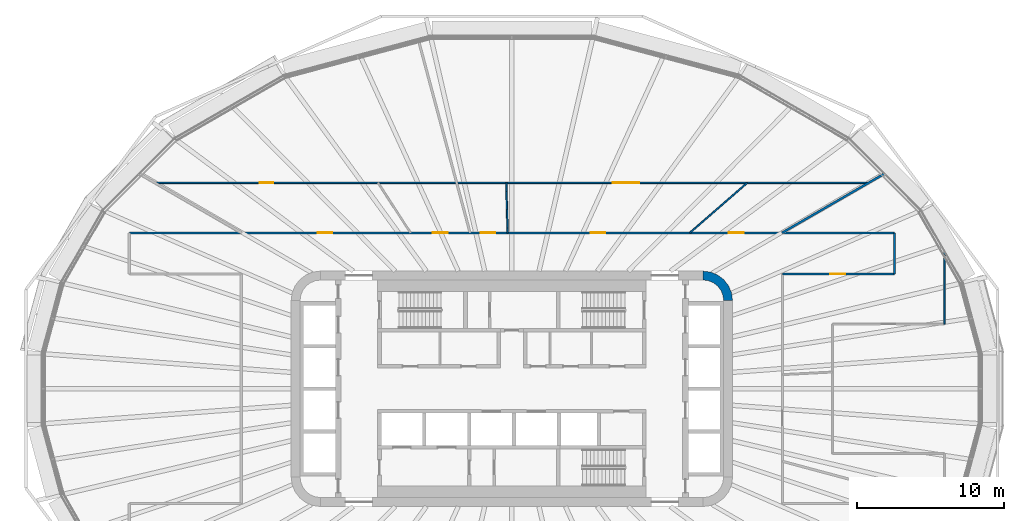
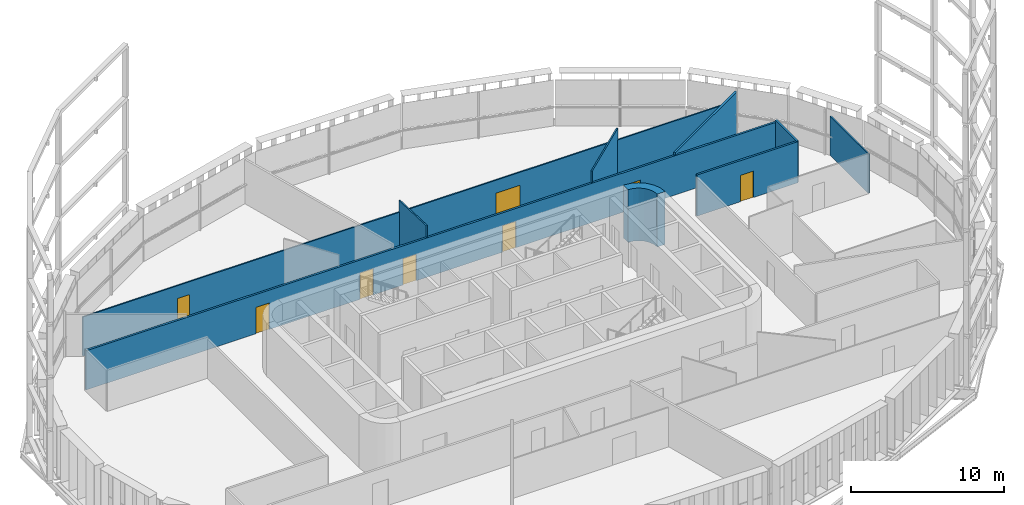
# One storey, part 17 of 26: 9 walls, 8 doors, 8 openings.
"""IFC4 building model written with IfcOpenShell, lengths in metres."""

from ifc_helpers import new_model, si_unit, direction, frame, frame_2d, origin, place, context, subcontext, project, spatial, polyline, rectangle, outline, extrude, material, layer, layer_set, type_object, element, fill, save


model = new_model("IFC4")

# Units and contexts
model_context = context("Model", 3, precision=1e-05, world=origin(), true_north=direction((0.0, 1.0)))
body_context = subcontext(model_context, "Body", "Model", "MODEL_VIEW")
ifc_project = project(units=[si_unit("LENGTHUNIT", "METRE"), si_unit("AREAUNIT", "SQUARE_METRE"), si_unit("VOLUMEUNIT", "CUBIC_METRE"), si_unit("PLANEANGLEUNIT", "RADIAN"), si_unit("MASSUNIT", "GRAM", prefix="KILO")], contexts=[model_context])

# Site, building, storey
site_placement = place(None, origin())
site = spatial("IfcSite", under=ifc_project, at=site_placement, CompositionType="ELEMENT")
building_placement = place(site_placement, origin())
building = spatial("IfcBuilding", under=site, at=building_placement, Name="Sahrelin Media Tower", CompositionType="ELEMENT")
storey_placement = place(building_placement, frame((0.0, 0.0, 102.0)))
storey = spatial("IfcBuildingStorey", under=building, at=storey_placement, Name="L19", CompositionType="ELEMENT", Elevation=102.0)

# Wall
ifc_material_1 = material(Name="Concrete C60/75", Category="concrete")
ifc_layer_1 = layer(ifc_material_1, 0.60009765625)
ifc_layer_set_1 = layer_set([ifc_layer_1], Name="Core wall 600")
wall_type_1 = type_object("IfcWallType", Name="Core wall 600", PredefinedType="SHEAR", material=ifc_layer_set_1)
wall_1_placement = place(storey_placement, origin())
element("IfcWall", 1, at=wall_1_placement, inside=storey, type_object=wall_type_1, Name="Core wall corner NE L19", PredefinedType="SHEAR", context=body_context, shape_type="SweptSolid", body=[
    extrude(outline(polyline([(13.0, 8.0), (13.0, 7.394775390625), (13.361083984375, 7.347412109375), (13.697509765625, 7.2080078125), (13.986328125, 6.986328125), (14.2080078125, 6.697509765625), (14.347412109375, 6.361083984375), (14.394775390625, 6.0), (15.0, 6.0), (14.931884765625, 6.517578125), (14.732177734375, 7.0), (14.414306640625, 7.414306640625), (14.0, 7.732177734375), (13.517578125, 7.931884765625), (13.0, 8.0)])), origin(), (0.0, 0.0, 1.0), 4.199951171875),
])

# Wall, opening, door
ifc_material_2 = material(Name="Fire-rated gypsum board partition")
ifc_layer_2 = layer(ifc_material_2, 0.14990234375)
ifc_layer_set_2 = layer_set([ifc_layer_2], Name="Fire-rated partition 150")
wall_type_2 = type_object("IfcWallType", Name="Fire-rated partition 150", PredefinedType="PARTITIONING", material=ifc_layer_set_2)
wall_2_placement = place(storey_placement, frame((18.39990234375, 7.800048828125, 0.0), z_axis=(0.0, 0.0, 1.0), x_axis=(1.0, 0.0, 0.0)))
wall_2 = element("IfcWall", 2, at=wall_2_placement, inside=storey, type_object=wall_type_2, Name="Wall", PredefinedType="PARTITIONING", context=body_context, shape_type="SweptSolid", body=[
    extrude(rectangle(XDim=7.60009765625, YDim=0.14990234375, at=frame_2d((3.800048828125, 0.0))), origin(), (0.0, 0.0, 1.0), 3.27587890625),
])
opening_1_placement = place(wall_2_placement, frame((3.2490234375, 0.0, 0.0)))
opening_1 = element("IfcOpeningElement", 3, at=opening_1_placement, cuts=wall_2, Name="Opening L19-D39", PredefinedType="OPENING", context=body_context, shape_type="SweptSolid", body=[
    extrude(rectangle(XDim=1.0, YDim=2.10009765625, at=frame_2d((0.5, 1.050048828125))), frame((0.0, 0.074951171875, 0.0), z_axis=(0.0, -1.0, 0.0), x_axis=(1.0, 0.0, 0.0)), (0.0, 0.0, 1.0), 0.14990234375),
])
ifc_material_3 = material(Name="Steel fire door leaf", Category="steel")
door_type_1 = type_object("IfcDoorType", Name="Fire door 1000 x 2100 EI 60", OperationType="NOTDEFINED", PredefinedType="DOOR", material=ifc_material_3)
door_1_placement = place(opening_1_placement, origin())
door_1 = element("IfcDoor", 4, at=door_1_placement, inside=storey, type_object=door_type_1, Name="Fire door", OperationType="SINGLE_SWING_LEFT", OverallHeight=2.10009765625, OverallWidth=1.0, PredefinedType="DOOR", context=body_context, shape_type="SweptSolid", body=[
    extrude(rectangle(XDim=1.0, YDim=2.10009765625, at=frame_2d((0.5, 1.050048828125))), frame((0.0, 0.02490234375, 0.0), z_axis=(0.0, -1.0, 0.0), x_axis=(1.0, 0.0, 0.0)), (0.0, 0.0, 1.0), 0.050048828125),
])
fill(opening_1, door_1)

# Wall, openings, doors
wall_3_placement = place(storey_placement, frame((-26.0, 10.60009765625, 0.0), z_axis=(0.0, 0.0, 1.0), x_axis=(1.0, 0.0, 0.0)))
wall_3 = element("IfcWall", 5, at=wall_3_placement, inside=storey, type_object=wall_type_2, Name="Wall", PredefinedType="PARTITIONING", context=body_context, shape_type="SweptSolid", body=[
    extrude(rectangle(XDim=52.0, YDim=0.14990234375, at=frame_2d((26.0, 0.0))), origin(), (0.0, 0.0, 1.0), 3.126953125),
])
opening_2_placement = place(wall_3_placement, frame((40.75341796875, 0.0, 0.0)))
opening_2 = element("IfcOpeningElement", 6, at=opening_2_placement, cuts=wall_3, Name="Opening L19-D23", PredefinedType="OPENING", context=body_context, shape_type="SweptSolid", body=[
    extrude(rectangle(XDim=1.0, YDim=2.10009765625, at=frame_2d((0.5, 1.050048828125))), frame((0.0, 0.074951171875, 0.0), z_axis=(0.0, -1.0, 0.0), x_axis=(1.0, 0.0, 0.0)), (0.0, 0.0, 1.0), 0.14990234375),
])
opening_3_placement = place(wall_3_placement, frame((31.359619140625, 0.0, 0.0)))
opening_3 = element("IfcOpeningElement", 7, at=opening_3_placement, cuts=wall_3, Name="Opening L19-D24", PredefinedType="OPENING", context=body_context, shape_type="SweptSolid", body=[
    extrude(rectangle(XDim=1.0, YDim=2.10009765625, at=frame_2d((0.5, 1.050048828125))), frame((0.0, 0.074951171875, 0.0), z_axis=(0.0, -1.0, 0.0), x_axis=(1.0, 0.0, 0.0)), (0.0, 0.0, 1.0), 0.14990234375),
])
opening_4_placement = place(wall_3_placement, frame((23.877685546875, 0.0, 0.0)))
opening_4 = element("IfcOpeningElement", 8, at=opening_4_placement, cuts=wall_3, Name="Opening L19-D25", PredefinedType="OPENING", context=body_context, shape_type="SweptSolid", body=[
    extrude(rectangle(XDim=1.0, YDim=2.10009765625, at=frame_2d((0.5, 1.050048828125))), frame((0.0, 0.074951171875, 0.0), z_axis=(0.0, -1.0, 0.0), x_axis=(1.0, 0.0, 0.0)), (0.0, 0.0, 1.0), 0.14990234375),
])
opening_5_placement = place(wall_3_placement, frame((20.637939453125, 0.0, 0.0)))
opening_5 = element("IfcOpeningElement", 9, at=opening_5_placement, cuts=wall_3, Name="Opening L19-D27", PredefinedType="OPENING", context=body_context, shape_type="SweptSolid", body=[
    extrude(rectangle(XDim=1.0, YDim=2.10009765625, at=frame_2d((0.5, 1.050048828125))), frame((0.0, 0.074951171875, 0.0), z_axis=(0.0, -1.0, 0.0), x_axis=(1.0, 0.0, 0.0)), (0.0, 0.0, 1.0), 0.14990234375),
])
opening_6_placement = place(wall_3_placement, frame((12.807861328125, 0.0, 0.0)))
opening_6 = element("IfcOpeningElement", 10, at=opening_6_placement, cuts=wall_3, Name="Opening L19-D28", PredefinedType="OPENING", context=body_context, shape_type="SweptSolid", body=[
    extrude(rectangle(XDim=1.0, YDim=2.10009765625, at=frame_2d((0.5, 1.050048828125))), frame((0.0, 0.074951171875, 0.0), z_axis=(0.0, -1.0, 0.0), x_axis=(1.0, 0.0, 0.0)), (0.0, 0.0, 1.0), 0.14990234375),
])
door_2_placement = place(opening_2_placement, origin())
door_2 = element("IfcDoor", 11, at=door_2_placement, inside=storey, type_object=door_type_1, Name="Fire door", OperationType="SINGLE_SWING_LEFT", OverallHeight=2.10009765625, OverallWidth=1.0, PredefinedType="DOOR", context=body_context, shape_type="SweptSolid", body=[
    extrude(rectangle(XDim=1.0, YDim=2.10009765625, at=frame_2d((0.5, 1.050048828125))), frame((0.0, 0.02490234375, 0.0), z_axis=(0.0, -1.0, 0.0), x_axis=(1.0, 0.0, 0.0)), (0.0, 0.0, 1.0), 0.050048828125),
])
fill(opening_2, door_2)
door_3_placement = place(opening_3_placement, origin())
door_3 = element("IfcDoor", 12, at=door_3_placement, inside=storey, type_object=door_type_1, Name="Fire door", OperationType="SINGLE_SWING_LEFT", OverallHeight=2.10009765625, OverallWidth=1.0, PredefinedType="DOOR", context=body_context, shape_type="SweptSolid", body=[
    extrude(rectangle(XDim=1.0, YDim=2.10009765625, at=frame_2d((0.5, 1.050048828125))), frame((0.0, 0.02490234375, 0.0), z_axis=(0.0, -1.0, 0.0), x_axis=(1.0, 0.0, 0.0)), (0.0, 0.0, 1.0), 0.050048828125),
])
fill(opening_3, door_3)
door_4_placement = place(opening_4_placement, origin())
door_4 = element("IfcDoor", 13, at=door_4_placement, inside=storey, type_object=door_type_1, Name="Fire door", OperationType="SINGLE_SWING_RIGHT", OverallHeight=2.10009765625, OverallWidth=1.0, PredefinedType="DOOR", context=body_context, shape_type="SweptSolid", body=[
    extrude(rectangle(XDim=1.0, YDim=2.10009765625, at=frame_2d((0.5, 1.050048828125))), frame((0.0, 0.02490234375, 0.0), z_axis=(0.0, -1.0, 0.0), x_axis=(1.0, 0.0, 0.0)), (0.0, 0.0, 1.0), 0.050048828125),
])
fill(opening_4, door_4)
door_5_placement = place(opening_5_placement, origin())
door_5 = element("IfcDoor", 14, at=door_5_placement, inside=storey, type_object=door_type_1, Name="Fire door", OperationType="SINGLE_SWING_RIGHT", OverallHeight=2.10009765625, OverallWidth=1.0, PredefinedType="DOOR", context=body_context, shape_type="SweptSolid", body=[
    extrude(rectangle(XDim=1.0, YDim=2.10009765625, at=frame_2d((0.5, 1.050048828125))), frame((0.0, 0.02490234375, 0.0), z_axis=(0.0, -1.0, 0.0), x_axis=(1.0, 0.0, 0.0)), (0.0, 0.0, 1.0), 0.050048828125),
])
fill(opening_5, door_5)
door_6_placement = place(opening_6_placement, origin())
door_6 = element("IfcDoor", 15, at=door_6_placement, inside=storey, type_object=door_type_1, Name="Fire door", OperationType="SINGLE_SWING_LEFT", OverallHeight=2.10009765625, OverallWidth=1.0, PredefinedType="DOOR", context=body_context, shape_type="SweptSolid", body=[
    extrude(rectangle(XDim=1.0, YDim=2.10009765625, at=frame_2d((0.5, 1.050048828125))), frame((0.0, 0.02490234375, 0.0), z_axis=(0.0, -1.0, 0.0), x_axis=(1.0, 0.0, 0.0)), (0.0, 0.0, 1.0), 0.050048828125),
])
fill(opening_6, door_6)

# Walls
wall_4_placement = place(storey_placement, frame((18.361083984375, 10.60009765625, 0.0), z_axis=(0.0, 0.0, 1.0), x_axis=(0.866017655369, 0.500013420409, 0.0)))
element("IfcWall", 16, at=wall_4_placement, inside=storey, type_object=wall_type_2, Name="Wall", PredefinedType="PARTITIONING", context=body_context, shape_type="SweptSolid", body=[
    extrude(rectangle(XDim=8.037841796875, YDim=0.14990234375, at=frame_2d((4.01904296875, 0.0))), origin(), (0.0, 0.0, 1.0), 3.352294921875),
])
wall_5_placement = place(storey_placement, frame((26.0, 7.800048828125, 0.0), z_axis=(0.0, 0.0, 1.0), x_axis=(0.0, 1.0, 0.0)))
element("IfcWall", 17, at=wall_5_placement, inside=storey, type_object=wall_type_2, Name="Wall", PredefinedType="PARTITIONING", context=body_context, shape_type="SweptSolid", body=[
    extrude(rectangle(XDim=2.800048828125, YDim=0.14990234375, at=frame_2d((1.39990234375, 0.0))), origin(), (0.0, 0.0, 1.0), 3.27587890625),
])
ifc_material_4 = material(Name="Gypsum board partition")
ifc_layer_3 = layer(ifc_material_4, 0.10009765625)
ifc_layer_set_3 = layer_set([ifc_layer_3], Name="Partition 100")
wall_type_3 = type_object("IfcWallType", Name="Partition 100", PredefinedType="PARTITIONING", material=ifc_layer_set_3)
wall_6_placement = place(storey_placement, frame((-0.3798828125, 14.0, 0.0), z_axis=(0.0, 0.0, 1.0), x_axis=(0.027276935786, -0.999627915163, 0.0)))
element("IfcWall", 18, at=wall_6_placement, inside=storey, type_object=wall_type_3, Name="Wall", PredefinedType="PARTITIONING", context=body_context, shape_type="SweptSolid", body=[
    extrude(rectangle(XDim=3.401123046875, YDim=0.10009765625, at=frame_2d((1.70068359375, 0.0))), origin(), (0.0, 0.0, 1.0), 4.050048828125),
])

# Wall, openings, doors
wall_7_placement = place(storey_placement, frame((-24.25, 14.0, 0.0), z_axis=(0.0, 0.0, 1.0), x_axis=(1.0, 0.0, 0.0)))
wall_7 = element("IfcWall", 19, at=wall_7_placement, inside=storey, type_object=wall_type_3, Name="Wall", PredefinedType="PARTITIONING", context=body_context, shape_type="SweptSolid", body=[
    extrude(rectangle(XDim=48.5, YDim=0.10009765625, at=frame_2d((24.25, 0.0))), origin(), (0.0, 0.0, 1.0), 3.126953125),
])
opening_7_placement = place(wall_7_placement, frame((31.104736328125, 0.0, 0.0)))
opening_7 = element("IfcOpeningElement", 20, at=opening_7_placement, cuts=wall_7, Name="Opening L19-D26", PredefinedType="OPENING", context=body_context, shape_type="SweptSolid", body=[
    extrude(rectangle(XDim=1.800048828125, YDim=2.10009765625, at=frame_2d((0.89990234375, 1.050048828125))), frame((0.0, 0.050048828125, 0.0), z_axis=(0.0, -1.0, 0.0), x_axis=(1.0, 0.0, 0.0)), (0.0, 0.0, 1.0), 0.10009765625),
])
opening_8_placement = place(wall_7_placement, frame((7.12890625, 0.0, 0.0)))
opening_8 = element("IfcOpeningElement", 21, at=opening_8_placement, cuts=wall_7, Name="Opening L19-D29", PredefinedType="OPENING", context=body_context, shape_type="SweptSolid", body=[
    extrude(rectangle(XDim=0.89990234375, YDim=2.10009765625, at=frame_2d((0.449951171875, 1.050048828125))), frame((0.0, 0.050048828125, 0.0), z_axis=(0.0, -1.0, 0.0), x_axis=(1.0, 0.0, 0.0)), (0.0, 0.0, 1.0), 0.10009765625),
])
ifc_material_5 = material(Name="Timber door leaf", Category="wood")
door_type_2 = type_object("IfcDoorType", Name="Double door 1800 x 2100", OperationType="DOUBLE_DOOR_SINGLE_SWING", PredefinedType="DOOR", material=ifc_material_5)
door_7_placement = place(opening_7_placement, origin())
door_7 = element("IfcDoor", 22, at=door_7_placement, inside=storey, type_object=door_type_2, Name="Double door", OperationType="DOUBLE_DOOR_SINGLE_SWING", OverallHeight=2.10009765625, OverallWidth=1.800048828125, PredefinedType="DOOR", context=body_context, shape_type="SweptSolid", body=[
    extrude(rectangle(XDim=1.800048828125, YDim=2.10009765625, at=frame_2d((0.89990234375, 1.050048828125))), frame((0.0, 0.02490234375, 0.0), z_axis=(0.0, -1.0, 0.0), x_axis=(1.0, 0.0, 0.0)), (0.0, 0.0, 1.0), 0.050048828125),
])
fill(opening_7, door_7)
door_type_3 = type_object("IfcDoorType", Name="Single door 900 x 2100", OperationType="NOTDEFINED", PredefinedType="DOOR", material=ifc_material_5)
door_8_placement = place(opening_8_placement, origin())
door_8 = element("IfcDoor", 23, at=door_8_placement, inside=storey, type_object=door_type_3, Name="Single door", OperationType="SINGLE_SWING_LEFT", OverallHeight=2.10009765625, OverallWidth=0.89990234375, PredefinedType="DOOR", context=body_context, shape_type="SweptSolid", body=[
    extrude(rectangle(XDim=0.89990234375, YDim=2.10009765625, at=frame_2d((0.449951171875, 1.050048828125))), frame((0.0, 0.02490234375, 0.0), z_axis=(0.0, -1.0, 0.0), x_axis=(1.0, 0.0, 0.0)), (0.0, 0.0, 1.0), 0.050048828125),
])
fill(opening_8, door_8)

# Walls
wall_8_placement = place(storey_placement, frame((12.10693359375, 10.60009765625, 0.0), z_axis=(0.0, 0.0, 1.0), x_axis=(0.752362742548, 0.658749044497, 0.0)))
element("IfcWall", 24, at=wall_8_placement, inside=storey, type_object=wall_type_3, Name="Wall", PredefinedType="PARTITIONING", context=body_context, shape_type="SweptSolid", body=[
    extrude(rectangle(XDim=5.1611328125, YDim=0.10009765625, at=frame_2d((2.58056640625, 0.0))), origin(), (0.0, 0.0, 1.0), 4.050048828125),
])
wall_9_placement = place(storey_placement, frame((29.39990234375, 4.39990234375, 0.0), z_axis=(0.0, 0.0, 1.0), x_axis=(0.0, 1.0, 0.0)))
element("IfcWall", 25, at=wall_9_placement, inside=storey, type_object=wall_type_3, Name="Wall", PredefinedType="PARTITIONING", context=body_context, shape_type="SweptSolid", body=[
    extrude(rectangle(XDim=4.97802734375, YDim=0.10009765625, at=frame_2d((2.489013671875, 0.0))), origin(), (0.0, 0.0, 1.0), 3.126953125),
])

save(model, "model.ifc")
